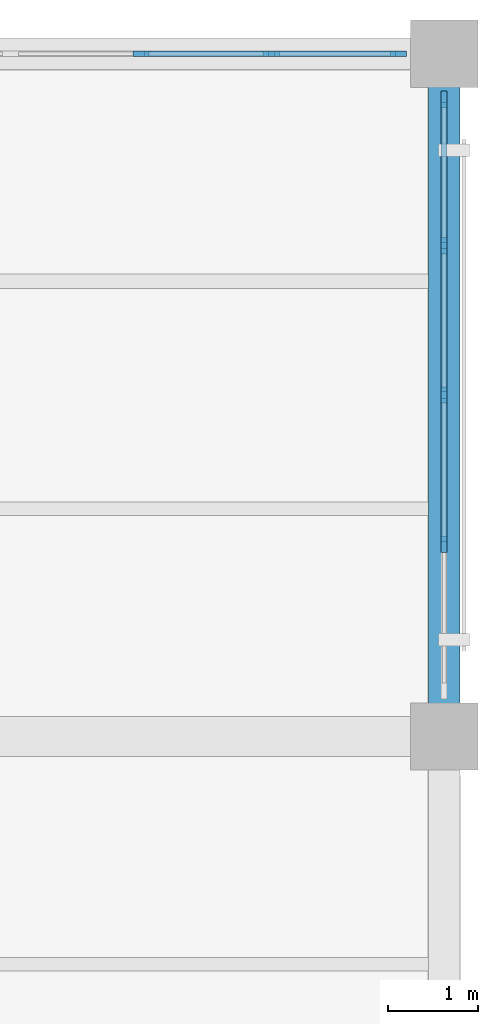
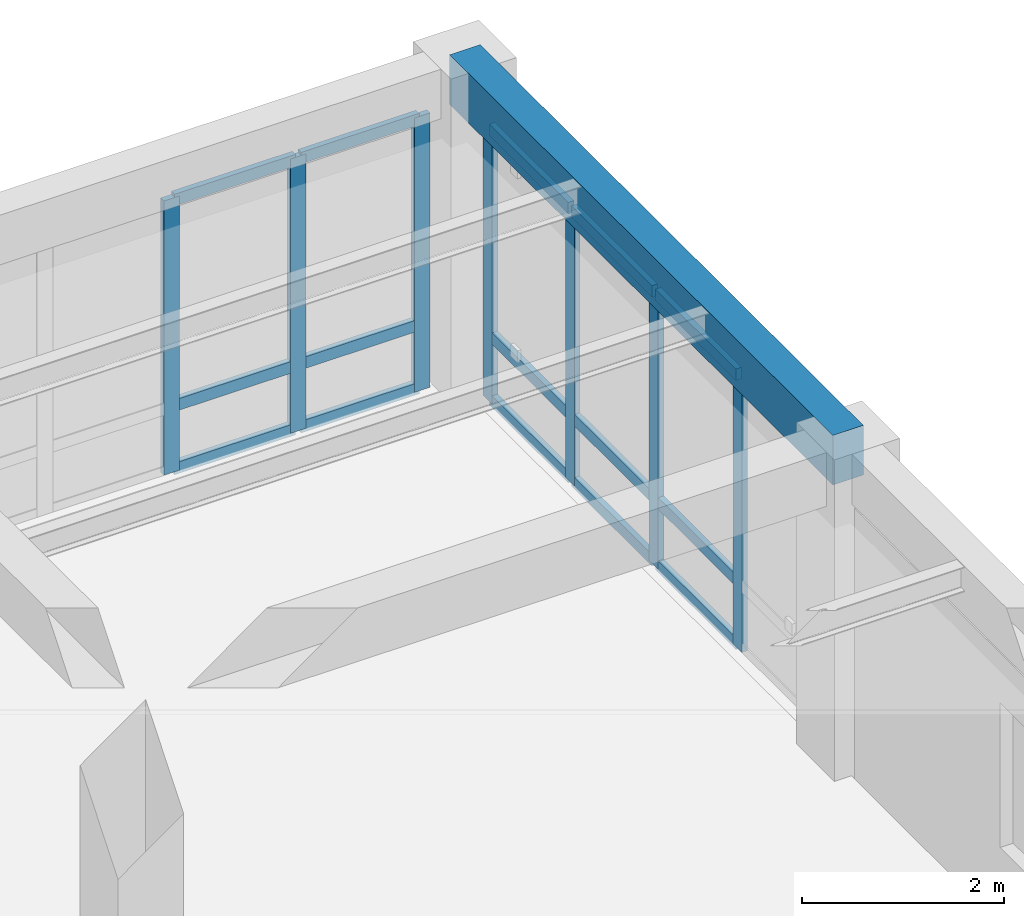
# One storey, part 5 of 13: 22 members, 1 beam, 2 elements without a shape of their own.
"""IFC4 building model written with IfcOpenShell, lengths in metres."""

from ifc_helpers import new_model, si_unit, direction, frame, origin, origin_2d, place, context, subcontext, project, spatial, rectangle, extrude, material, material_profile, profile_set, type_object, element, aggregate, save


model = new_model("IFC4")

# Units and contexts
model_context = context("Model", 3, precision=1e-05, world=origin(), true_north=direction((0.0, 1.0)))
body_context = subcontext(model_context, "Body", "Model", "MODEL_VIEW")
ifc_project = project(units=[si_unit("LENGTHUNIT", "METRE"), si_unit("AREAUNIT", "SQUARE_METRE"), si_unit("VOLUMEUNIT", "CUBIC_METRE"), si_unit("PLANEANGLEUNIT", "RADIAN"), si_unit("MASSUNIT", "GRAM", prefix="KILO")], contexts=[model_context])

# Site, building, storey
site_placement = place(None, origin())
site = spatial("IfcSite", under=ifc_project, at=site_placement, CompositionType="ELEMENT")
building_placement = place(site_placement, origin())
building = spatial("IfcBuilding", under=site, at=building_placement, Name="Qandaris Square Conservatory and Botanical Centre", CompositionType="ELEMENT")
storey_placement = place(building_placement, frame((0.0, 0.0, 57.60009765625)))
storey = spatial("IfcBuildingStorey", under=building, at=storey_placement, Name="L13", CompositionType="ELEMENT", Elevation=57.60009765625)

# Curtain wall, members
ifc_material_1 = material(Name="Anodised Aluminium", Category="aluminium")
curtain_wall_type_1 = type_object("IfcCurtainWallType", Name="Unitised Curtain Wall CW-4-665x332", PredefinedType="USERDEFINED", material=ifc_material_1)
curtain_wall_1_placement = place(storey_placement, origin())
curtain_wall_1 = element("IfcCurtainWall", 1, at=curtain_wall_1_placement, inside=storey, type_object=curtain_wall_type_1, Name="Curtain Wall CW-TWR-L13-2-6", ObjectType="GLAZED CURTAIN WALL", PredefinedType="USERDEFINED")
ifc_material_profile_1 = material_profile(ifc_material_1, rectangle(XDim=0.06494140625, YDim=0.179931640625, at=origin_2d()), Name="ALU-MUL 65x180")
ifc_profile_set_1 = profile_set([ifc_material_profile_1], Name="Anodised Aluminium")
member_type_1 = type_object("IfcMemberType", Name="Curtain Wall Mullion 65x180", PredefinedType="MULLION", material=ifc_profile_set_1)
member_1_placement = place(storey_placement, frame((163.800048828125, 56.737548828125, 0.0), z_axis=(0.0, 0.0, 1.0), x_axis=(-1.0, 0.0, 0.0)))
member_1 = element("IfcMember", 2, at=member_1_placement, type_object=member_type_1, Name="CW-4-665x332 mullion 2", PredefinedType="MULLION", context=body_context, shape_type="SweptSolid", body=[
    extrude(rectangle(XDim=0.06494140625, YDim=0.179931640625, at=origin_2d()), origin(), (0.0, 0.0, 1.0), 3.31982421875),
])
member_2_placement = place(storey_placement, frame((163.800048828125, 58.39990234375, 0.0), z_axis=(0.0, 0.0, 1.0), x_axis=(-1.0, 0.0, 0.0)))
member_2 = element("IfcMember", 3, at=member_2_placement, type_object=member_type_1, Name="CW-4-665x332 mullion 3", PredefinedType="MULLION", context=body_context, shape_type="SweptSolid", body=[
    extrude(rectangle(XDim=0.06494140625, YDim=0.179931640625, at=origin_2d()), origin(), (0.0, 0.0, 1.0), 3.31982421875),
])
member_3_placement = place(storey_placement, frame((163.800048828125, 60.0625, 0.0), z_axis=(0.0, 0.0, 1.0), x_axis=(-1.0, 0.0, 0.0)))
member_3 = element("IfcMember", 4, at=member_3_placement, type_object=member_type_1, Name="CW-4-665x332 mullion 4", PredefinedType="MULLION", context=body_context, shape_type="SweptSolid", body=[
    extrude(rectangle(XDim=0.06494140625, YDim=0.179931640625, at=origin_2d()), origin(), (0.0, 0.0, 1.0), 3.31982421875),
])
member_4_placement = place(storey_placement, frame((163.800048828125, 61.6923828125, 0.0), z_axis=(0.0, 0.0, 1.0), x_axis=(-1.0, 0.0, 0.0)))
member_4 = element("IfcMember", 5, at=member_4_placement, type_object=member_type_1, Name="CW-4-665x332 mullion 5", PredefinedType="MULLION", context=body_context, shape_type="SweptSolid", body=[
    extrude(rectangle(XDim=0.06494140625, YDim=0.179931640625, at=origin_2d()), origin(), (0.0, 0.0, 1.0), 3.31982421875),
])

curtain_wall_type_2 = type_object("IfcCurtainWallType", Name="Unitised Curtain Wall CW-3-725x332", PredefinedType="USERDEFINED", material=ifc_material_1)
curtain_wall_2_placement = place(storey_placement, origin())
curtain_wall_2 = element("IfcCurtainWall", 6, at=curtain_wall_2_placement, inside=storey, type_object=curtain_wall_type_2, Name="Curtain Wall CW-TWR-L13-3-1", ObjectType="GLAZED CURTAIN WALL", PredefinedType="USERDEFINED")
member_5_placement = place(storey_placement, frame((163.29248046875, 62.199951171875, 0.0), z_axis=(0.0, 0.0, 1.0), x_axis=(0.0, -1.0, 0.0)))
member_5 = element("IfcMember", 7, at=member_5_placement, type_object=member_type_1, Name="CW-3-725x332 mullion 1", PredefinedType="MULLION", context=body_context, shape_type="SweptSolid", body=[
    extrude(rectangle(XDim=0.06494140625, YDim=0.179931640625, at=origin_2d()), origin(), (0.0, 0.0, 1.0), 3.31982421875),
])
member_6_placement = place(storey_placement, frame((161.875, 62.199951171875, 0.0), z_axis=(0.0, 0.0, 1.0), x_axis=(0.0, -1.0, 0.0)))
member_6 = element("IfcMember", 8, at=member_6_placement, type_object=member_type_1, Name="CW-3-725x332 mullion 2", PredefinedType="MULLION", context=body_context, shape_type="SweptSolid", body=[
    extrude(rectangle(XDim=0.06494140625, YDim=0.179931640625, at=origin_2d()), origin(), (0.0, 0.0, 1.0), 3.31982421875),
])
member_7_placement = place(storey_placement, frame((160.425048828125, 62.199951171875, 0.0), z_axis=(0.0, 0.0, 1.0), x_axis=(0.0, -1.0, 0.0)))
member_7 = element("IfcMember", 9, at=member_7_placement, type_object=member_type_1, Name="CW-3-725x332 mullion 3", PredefinedType="MULLION", context=body_context, shape_type="SweptSolid", body=[
    extrude(rectangle(XDim=0.06494140625, YDim=0.179931640625, at=origin_2d()), origin(), (0.0, 0.0, 1.0), 3.31982421875),
])

# Member
ifc_material_profile_2 = material_profile(ifc_material_1, rectangle(XDim=0.06494140625, YDim=0.139892578125, at=origin_2d()), Name="ALU-TRN 65x140")
ifc_profile_set_2 = profile_set([ifc_material_profile_2], Name="Anodised Aluminium")
member_type_2 = type_object("IfcMemberType", Name="Curtain Wall Transom 65x140", PredefinedType="USERDEFINED", material=ifc_profile_set_2)
member_8_placement = place(storey_placement, frame((163.800048828125, 56.77001953125, 0.032470703125), z_axis=(0.0, 1.0, 0.0), x_axis=(-1.0, 0.0, 0.0)))
member_8 = element("IfcMember", 10, at=member_8_placement, type_object=member_type_2, Name="CW-4-665x332 transom 2.1", ObjectType="TRANSOM", PredefinedType="USERDEFINED", context=body_context, shape_type="SweptSolid", body=[
    extrude(rectangle(XDim=0.06494140625, YDim=0.139892578125, at=origin_2d()), origin(), (0.0, 0.0, 1.0), 1.597412109375),
])

member_9_placement = place(storey_placement, frame((163.800048828125, 56.77001953125, 0.796630859375), z_axis=(0.0, 1.0, 0.0), x_axis=(-1.0, 0.0, 0.0)))
member_9 = element("IfcMember", 11, at=member_9_placement, type_object=member_type_2, Name="CW-4-665x332 transom 2.2", ObjectType="TRANSOM", PredefinedType="USERDEFINED", context=body_context, shape_type="SweptSolid", body=[
    extrude(rectangle(XDim=0.06494140625, YDim=0.139892578125, at=origin_2d()), origin(), (0.0, 0.0, 1.0), 1.597412109375),
])

member_10_placement = place(storey_placement, frame((163.800048828125, 56.77001953125, 3.287353515625), z_axis=(0.0, 1.0, 0.0), x_axis=(-1.0, 0.0, 0.0)))
member_10 = element("IfcMember", 12, at=member_10_placement, type_object=member_type_2, Name="CW-4-665x332 transom 2.3", ObjectType="TRANSOM", PredefinedType="USERDEFINED", context=body_context, shape_type="SweptSolid", body=[
    extrude(rectangle(XDim=0.06494140625, YDim=0.139892578125, at=origin_2d()), origin(), (0.0, 0.0, 1.0), 1.597412109375),
])

member_11_placement = place(storey_placement, frame((163.800048828125, 58.4326171875, 0.032470703125), z_axis=(0.0, 1.0, 0.0), x_axis=(-1.0, 0.0, 0.0)))
member_11 = element("IfcMember", 13, at=member_11_placement, type_object=member_type_2, Name="CW-4-665x332 transom 3.1", ObjectType="TRANSOM", PredefinedType="USERDEFINED", context=body_context, shape_type="SweptSolid", body=[
    extrude(rectangle(XDim=0.06494140625, YDim=0.139892578125, at=origin_2d()), origin(), (0.0, 0.0, 1.0), 1.597412109375),
])

member_12_placement = place(storey_placement, frame((163.800048828125, 58.4326171875, 0.796630859375), z_axis=(0.0, 1.0, 0.0), x_axis=(-1.0, 0.0, 0.0)))
member_12 = element("IfcMember", 14, at=member_12_placement, type_object=member_type_2, Name="CW-4-665x332 transom 3.2", ObjectType="TRANSOM", PredefinedType="USERDEFINED", context=body_context, shape_type="SweptSolid", body=[
    extrude(rectangle(XDim=0.06494140625, YDim=0.139892578125, at=origin_2d()), origin(), (0.0, 0.0, 1.0), 1.597412109375),
])

member_13_placement = place(storey_placement, frame((163.800048828125, 58.4326171875, 3.287353515625), z_axis=(0.0, 1.0, 0.0), x_axis=(-1.0, 0.0, 0.0)))
member_13 = element("IfcMember", 15, at=member_13_placement, type_object=member_type_2, Name="CW-4-665x332 transom 3.3", ObjectType="TRANSOM", PredefinedType="USERDEFINED", context=body_context, shape_type="SweptSolid", body=[
    extrude(rectangle(XDim=0.06494140625, YDim=0.139892578125, at=origin_2d()), origin(), (0.0, 0.0, 1.0), 1.597412109375),
])

member_14_placement = place(storey_placement, frame((163.800048828125, 60.094970703125, 0.032470703125), z_axis=(0.0, 1.0, 0.0), x_axis=(-1.0, 0.0, 0.0)))
member_14 = element("IfcMember", 16, at=member_14_placement, type_object=member_type_2, Name="CW-4-665x332 transom 4.1", ObjectType="TRANSOM", PredefinedType="USERDEFINED", context=body_context, shape_type="SweptSolid", body=[
    extrude(rectangle(XDim=0.06494140625, YDim=0.139892578125, at=origin_2d()), origin(), (0.0, 0.0, 1.0), 1.56494140625),
])

member_15_placement = place(storey_placement, frame((163.800048828125, 60.094970703125, 0.796630859375), z_axis=(0.0, 1.0, 0.0), x_axis=(-1.0, 0.0, 0.0)))
member_15 = element("IfcMember", 17, at=member_15_placement, type_object=member_type_2, Name="CW-4-665x332 transom 4.2", ObjectType="TRANSOM", PredefinedType="USERDEFINED", context=body_context, shape_type="SweptSolid", body=[
    extrude(rectangle(XDim=0.06494140625, YDim=0.139892578125, at=origin_2d()), origin(), (0.0, 0.0, 1.0), 1.56494140625),
])

member_16_placement = place(storey_placement, frame((163.800048828125, 60.094970703125, 3.287353515625), z_axis=(0.0, 1.0, 0.0), x_axis=(-1.0, 0.0, 0.0)))
member_16 = element("IfcMember", 18, at=member_16_placement, type_object=member_type_2, Name="CW-4-665x332 transom 4.3", ObjectType="TRANSOM", PredefinedType="USERDEFINED", context=body_context, shape_type="SweptSolid", body=[
    extrude(rectangle(XDim=0.06494140625, YDim=0.139892578125, at=origin_2d()), origin(), (0.0, 0.0, 1.0), 1.56494140625),
])

aggregate(curtain_wall_1, [member_1, member_2, member_3, member_4, member_8, member_9, member_10, member_11, member_12, member_13, member_14, member_15, member_16])

member_17_placement = place(storey_placement, frame((163.260009765625, 62.199951171875, 0.032470703125), z_axis=(-1.0, 0.0, 0.0), x_axis=(0.0, -1.0, 0.0)))
member_17 = element("IfcMember", 19, at=member_17_placement, type_object=member_type_2, Name="CW-3-725x332 transom 1.1", ObjectType="TRANSOM", PredefinedType="USERDEFINED", context=body_context, shape_type="SweptSolid", body=[
    extrude(rectangle(XDim=0.06494140625, YDim=0.139892578125, at=origin_2d()), origin(), (0.0, 0.0, 1.0), 1.3525390625),
])

member_18_placement = place(storey_placement, frame((163.260009765625, 62.199951171875, 0.796630859375), z_axis=(-1.0, 0.0, 0.0), x_axis=(0.0, -1.0, 0.0)))
member_18 = element("IfcMember", 20, at=member_18_placement, type_object=member_type_2, Name="CW-3-725x332 transom 1.2", ObjectType="TRANSOM", PredefinedType="USERDEFINED", context=body_context, shape_type="SweptSolid", body=[
    extrude(rectangle(XDim=0.06494140625, YDim=0.139892578125, at=origin_2d()), origin(), (0.0, 0.0, 1.0), 1.3525390625),
])

member_19_placement = place(storey_placement, frame((163.260009765625, 62.199951171875, 3.287353515625), z_axis=(-1.0, 0.0, 0.0), x_axis=(0.0, -1.0, 0.0)))
member_19 = element("IfcMember", 21, at=member_19_placement, type_object=member_type_2, Name="CW-3-725x332 transom 1.3", ObjectType="TRANSOM", PredefinedType="USERDEFINED", context=body_context, shape_type="SweptSolid", body=[
    extrude(rectangle(XDim=0.06494140625, YDim=0.139892578125, at=origin_2d()), origin(), (0.0, 0.0, 1.0), 1.3525390625),
])

member_20_placement = place(storey_placement, frame((161.842529296875, 62.199951171875, 0.032470703125), z_axis=(-1.0, 0.0, 0.0), x_axis=(0.0, -1.0, 0.0)))
member_20 = element("IfcMember", 22, at=member_20_placement, type_object=member_type_2, Name="CW-3-725x332 transom 2.1", ObjectType="TRANSOM", PredefinedType="USERDEFINED", context=body_context, shape_type="SweptSolid", body=[
    extrude(rectangle(XDim=0.06494140625, YDim=0.139892578125, at=origin_2d()), origin(), (0.0, 0.0, 1.0), 1.385009765625),
])

member_21_placement = place(storey_placement, frame((161.842529296875, 62.199951171875, 0.796630859375), z_axis=(-1.0, 0.0, 0.0), x_axis=(0.0, -1.0, 0.0)))
member_21 = element("IfcMember", 23, at=member_21_placement, type_object=member_type_2, Name="CW-3-725x332 transom 2.2", ObjectType="TRANSOM", PredefinedType="USERDEFINED", context=body_context, shape_type="SweptSolid", body=[
    extrude(rectangle(XDim=0.06494140625, YDim=0.139892578125, at=origin_2d()), origin(), (0.0, 0.0, 1.0), 1.385009765625),
])

member_22_placement = place(storey_placement, frame((161.842529296875, 62.199951171875, 3.287353515625), z_axis=(-1.0, 0.0, 0.0), x_axis=(0.0, -1.0, 0.0)))
member_22 = element("IfcMember", 24, at=member_22_placement, type_object=member_type_2, Name="CW-3-725x332 transom 2.3", ObjectType="TRANSOM", PredefinedType="USERDEFINED", context=body_context, shape_type="SweptSolid", body=[
    extrude(rectangle(XDim=0.06494140625, YDim=0.139892578125, at=origin_2d()), origin(), (0.0, 0.0, 1.0), 1.385009765625),
])

aggregate(curtain_wall_2, [member_5, member_6, member_7, member_17, member_18, member_19, member_20, member_21, member_22])

# Beam
ifc_material_2 = material(Name="Concrete C50/60", Category="concrete")
ifc_material_profile_3 = material_profile(ifc_material_2, rectangle(XDim=0.35009765625, YDim=0.60009765625, at=origin_2d()), Name="RC-SP 350x600")
ifc_profile_set_3 = profile_set([ifc_material_profile_3], Name="Concrete C50/60")
beam_type = type_object("IfcBeamType", Name="RC Edge Spandrel Beam 350x600", PredefinedType="SPANDREL", material=ifc_profile_set_3)
beam_placement = place(storey_placement, frame((163.800048828125, 54.60009765625, 3.619873046875), z_axis=(0.0, 1.0, 0.0), x_axis=(-1.0, 0.0, 0.0)))
element("IfcBeam", 25, at=beam_placement, inside=storey, type_object=beam_type, Name="L13 Frame Beam 2787", PredefinedType="SPANDREL", context=body_context, shape_type="SweptSolid", body=[
    extrude(rectangle(XDim=0.35009765625, YDim=0.60009765625, at=origin_2d()), origin(), (0.0, 0.0, 1.0), 7.599853515625),
])

save(model, "model.ifc")
